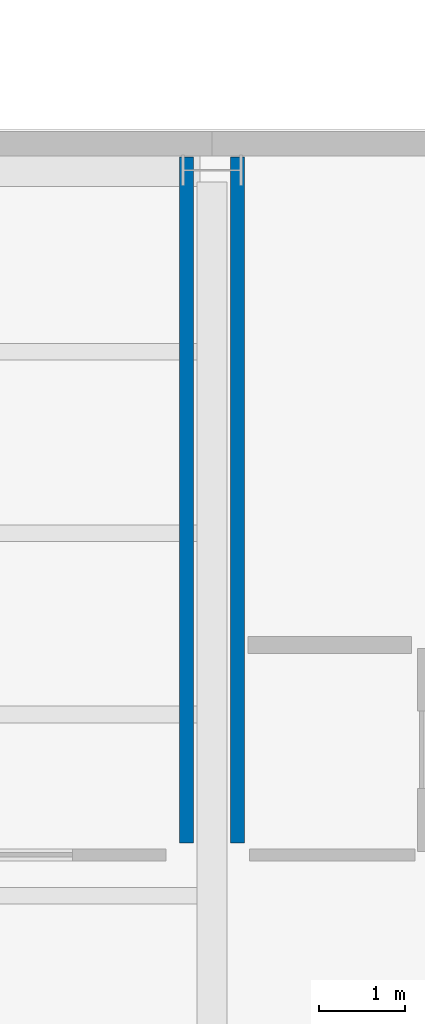
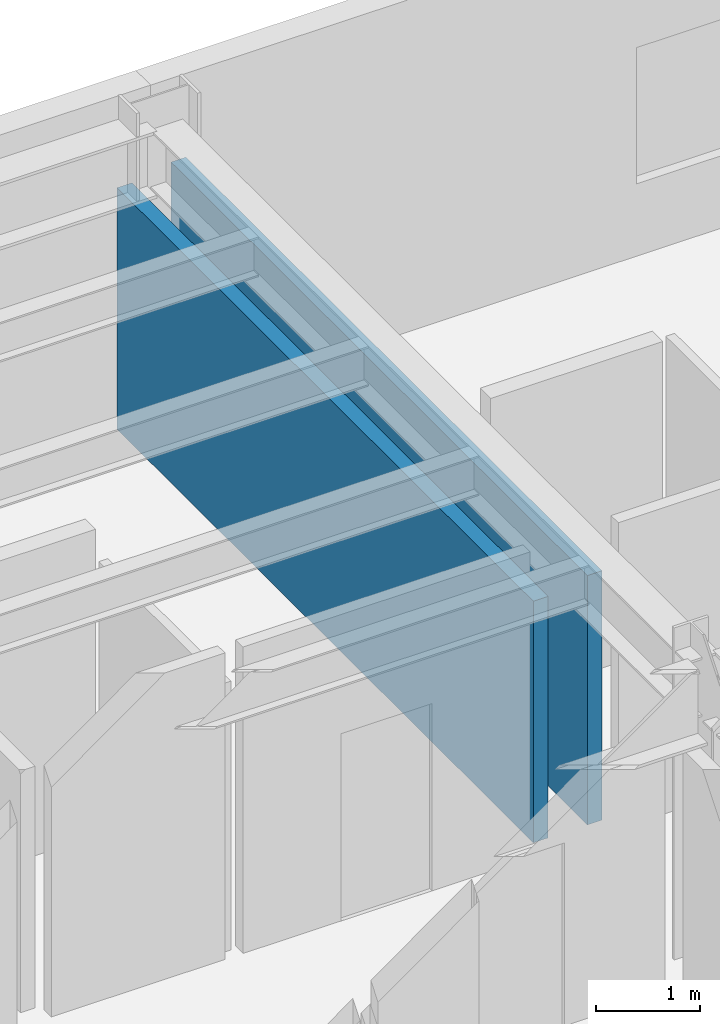
# One storey, part 43 of 59: 2 walls.
"""IFC4 building model written with IfcOpenShell, lengths in metres."""

import ifcopenshell
import ifcopenshell.guid

model = None  # the IFC model being written
_history = None  # IfcOwnerHistory: only IFC2X3 demands one
_inside = {}  # id of a spatial element -> (the spatial element, [elements in it])
_under = {}  # id of a project, library or spatial element -> (it, [spatial elements below it])
_declared = {}  # id of a project -> (the project, [libraries it declares])
_typed = {}  # id of a type object -> (the type object, [elements of that type])
_made_of = {}  # id of a material, layer set ... -> (it, [elements and type objects made of it])


def new_model(schema):
    """Start an empty IFC model of exactly this schema.

    Asked for "IFC4X3", IfcOpenShell would pick the latest addendum, in which some entities
    have other attributes; the version numbers below select the first issue.
    IFC2X3 requires an IfcOwnerHistory on every rooted entity: one is made here for all.
    """
    global model, _history
    if schema == "IFC4X3":
        model = ifcopenshell.file(schema_version=(4, 3, 0, 0))
    else:
        model = ifcopenshell.file(schema=schema)
    _inside.clear()
    _under.clear()
    _declared.clear()
    _typed.clear()
    _made_of.clear()
    _history = None
    if model.schema == "IFC2X3":
        org = make("IfcOrganization", Name="unknown")
        user = make(
            "IfcPersonAndOrganization",
            ThePerson=make("IfcPerson", FamilyName="unknown"),
            TheOrganization=org,
        )
        app = make(
            "IfcApplication",
            ApplicationDeveloper=org,
            Version="unknown",
            ApplicationFullName="unknown",
            ApplicationIdentifier="unknown",
        )
        _history = make(
            "IfcOwnerHistory",
            OwningUser=user,
            OwningApplication=app,
            ChangeAction="ADDED",
            CreationDate=0,
        )
    return model


def make(cls, **values):
    """One entity of the class cls with the attributes given. An attribute that is None is left unset."""
    return model.create_entity(
        cls, **{name: value for name, value in values.items() if value is not None}
    )


def rooted(cls, **values):
    """An entity with a GlobalId (a new one), such as an element, a storey or a relation."""
    return make(cls, GlobalId=ifcopenshell.guid.new(), OwnerHistory=_history, **values)


def si_unit(unit_type, name, prefix=None):
    """IfcSIUnit, for example si_unit("LENGTHUNIT", "METRE", prefix="MILLI")."""
    return make("IfcSIUnit", UnitType=unit_type, Prefix=prefix, Name=name)


def assignment(units):
    """IfcUnitAssignment: the units of a project."""
    return None if units is None else make("IfcUnitAssignment", Units=units)


def point(xyz):
    """IfcCartesianPoint."""
    return None if xyz is None else make("IfcCartesianPoint", Coordinates=xyz)


def direction(xyz):
    """IfcDirection."""
    return None if xyz is None else make("IfcDirection", DirectionRatios=xyz)


def frame(location, z_axis=None, x_axis=None):
    """IfcAxis2Placement3D, a coordinate frame: its origin and axes. An axis left out is left unset."""
    return make(
        "IfcAxis2Placement3D",
        Location=point(location),
        Axis=direction(z_axis),
        RefDirection=direction(x_axis),
    )


def frame_2d(location, x_axis=None):
    """IfcAxis2Placement2D, a coordinate frame in the plane: its origin and x axis."""
    return make(
        "IfcAxis2Placement2D", Location=point(location), RefDirection=direction(x_axis)
    )


def origin():
    """The frame at (0, 0, 0) with its axes left unset."""
    return frame((0.0, 0.0, 0.0))


def place(relative_to, where):
    """IfcLocalPlacement: puts the frame where relative to a parent placement (None: the world)."""
    return make(
        "IfcLocalPlacement", PlacementRelTo=relative_to, RelativePlacement=where
    )


def context(
    kind, dimensions, precision=None, world=None, true_north=None, identifier=None
):
    """IfcGeometricRepresentationContext, for example the 3D "Model" context."""
    return make(
        "IfcGeometricRepresentationContext",
        ContextIdentifier=identifier,
        ContextType=kind,
        CoordinateSpaceDimension=dimensions,
        Precision=precision,
        WorldCoordinateSystem=world,
        TrueNorth=true_north,
    )


def subcontext(parent, identifier, kind, view, scale=None):
    """IfcGeometricRepresentationSubContext, for example "Body" below "Model"."""
    return make(
        "IfcGeometricRepresentationSubContext",
        ContextIdentifier=identifier,
        ContextType=kind,
        ParentContext=parent,
        TargetScale=scale,
        TargetView=view,
    )


def project(units=None, contexts=None):
    """IfcProject with its units and contexts."""
    return rooted(
        "IfcProject",
        Name="project",
        RepresentationContexts=contexts,
        UnitsInContext=assignment(units),
    )


def spatial(cls, under=None, at=None, **own):
    """A site, building, storey or space (cls), placed at a placement, below another one or the project."""
    s = rooted(cls, ObjectPlacement=at, **own)
    if under is not None:
        _under.setdefault(under.id(), (under, []))[1].append(s)
    return s


def profile(cls, at=None, kind="AREA", **sizes):
    """A parametric profile (cls). Its sizes go by their IFC names, for example OverallWidth=200.0."""
    return make(cls, ProfileType=kind, Position=at, **sizes)


def rectangle(**sizes):
    """IfcRectangleProfileDef."""
    return profile("IfcRectangleProfileDef", **sizes)


def extrude(swept, where, along, depth):
    """IfcExtrudedAreaSolid: the profile swept, set in the frame where, extruded along a direction by depth."""
    return make(
        "IfcExtrudedAreaSolid",
        SweptArea=swept,
        Position=where,
        ExtrudedDirection=direction(along),
        Depth=depth,
    )


def shape(context_of_items, identifier, shape_type, items):
    """IfcShapeRepresentation: the items that make up one representation, for example the "Body"."""
    return make(
        "IfcShapeRepresentation",
        ContextOfItems=context_of_items,
        RepresentationIdentifier=identifier,
        RepresentationType=shape_type,
        Items=items,
    )


def material(Name=None, Category=None):
    """IfcMaterial."""
    return make("IfcMaterial", Name=Name, Category=Category)


def layer(
    of_material, thickness, ventilated=None, Name=None, Category=None, Priority=None
):
    """IfcMaterialLayer: one layer of a wall or slab, of a material (None: an air gap)."""
    return make(
        "IfcMaterialLayer",
        Material=of_material,
        LayerThickness=thickness,
        IsVentilated=ventilated,
        Name=Name,
        Category=Category,
        Priority=Priority,
    )


def layer_set(layers, Name=None):
    """IfcMaterialLayerSet."""
    return make("IfcMaterialLayerSet", MaterialLayers=layers, LayerSetName=Name)


def made_of(thing, what):
    """Note that an element or type object is made of a material, layer set ...; save() writes the relation."""
    if what is not None:
        _made_of.setdefault(what.id(), (what, []))[1].append(thing)
    return thing


def type_object(cls, material=None, **own):
    """A type object (cls), such as IfcWallType, which elements share."""
    return made_of(rooted(cls, **own), material)


def element(
    cls,
    number,
    at=None,
    inside=None,
    cuts=None,
    type_object=None,
    material=None,
    context=None,
    identifier="Body",
    shape_type=None,
    held_by="IfcProductDefinitionShape",
    body=None,
    shapes=None,
    **own,
):
    """One element of the class cls, such as IfcWall. Its Tag is "e" and its number.

    at: its placement. inside: the storey or other place that contains it. cuts: it is an
    opening in that element (IfcRelVoidsElement). A single representation is given by context,
    identifier, shape_type and body (its items); several are given by shapes. held_by: the class
    of the entity that holds the representations. save() writes the other relations.
    """
    e = rooted(cls, Tag="e%d" % number, ObjectPlacement=at, **own)
    if body is not None:
        shapes = [shape(context, identifier, shape_type, body)]
    if shapes is not None:
        e.Representation = make(held_by, Representations=shapes)
    if inside is not None:
        _inside.setdefault(inside.id(), (inside, []))[1].append(e)
    if cuts is not None:
        rooted(
            "IfcRelVoidsElement", RelatingBuildingElement=cuts, RelatedOpeningElement=e
        )
    if type_object is not None:
        _typed.setdefault(type_object.id(), (type_object, []))[1].append(e)
    return made_of(e, material)


def aggregate(whole, parts):
    """IfcRelAggregates: a whole, such as a stair, and the parts it consists of."""
    return rooted("IfcRelAggregates", RelatingObject=whole, RelatedObjects=parts)


def save(model, path):
    """Write the relations noted so far, then the file.

    IfcRelAggregates (storeys below a building ...), IfcRelContainedInSpatialStructure (elements
    in a storey), IfcRelDefinesByType, IfcRelAssociatesMaterial and IfcRelDeclares: one each for
    every whole, place, type object, material and project.
    """
    for whole, parts in _under.values():
        aggregate(whole, parts)
    for where, things in _inside.values():
        rooted(
            "IfcRelContainedInSpatialStructure",
            RelatedElements=things,
            RelatingStructure=where,
        )
    for kind, things in _typed.values():
        rooted("IfcRelDefinesByType", RelatedObjects=things, RelatingType=kind)
    for what, things in _made_of.values():
        rooted("IfcRelAssociatesMaterial", RelatedObjects=things, RelatingMaterial=what)
    for by, libraries in _declared.values():
        rooted("IfcRelDeclares", RelatingContext=by, RelatedDefinitions=libraries)
    model.write(path)


model = new_model("IFC4")

# Units and contexts
model_context = context("Model", 3, precision=1e-05, world=origin(), true_north=direction((0.0, 1.0)))
body_context = subcontext(model_context, "Body", "Model", "MODEL_VIEW")
ifc_project = project(units=[si_unit("LENGTHUNIT", "METRE"), si_unit("AREAUNIT", "SQUARE_METRE"), si_unit("VOLUMEUNIT", "CUBIC_METRE"), si_unit("PLANEANGLEUNIT", "RADIAN"), si_unit("MASSUNIT", "GRAM", prefix="KILO")], contexts=[model_context])

# Site, building, storey
site_placement = place(None, origin())
site = spatial("IfcSite", under=ifc_project, at=site_placement, CompositionType="ELEMENT")
building_placement = place(site_placement, origin())
building = spatial("IfcBuilding", under=site, at=building_placement, Name="Sollismere Congress Hotel", CompositionType="ELEMENT")
storey_placement = place(building_placement, frame((0.0, 0.0, 15.60009765625)))
storey = spatial("IfcBuildingStorey", under=building, at=storey_placement, Name="L03", CompositionType="ELEMENT", Elevation=15.60009765625)

# Walls
ifc_material = material(Name="Fire-Rated Acoustic Gypsum Partition")
ifc_layer = layer(ifc_material, 0.1650390625, Name="Fire-Rated Acoustic Gypsum Partition")
ifc_layer_set = layer_set([ifc_layer], Name="Fire-Rated Acoustic Gypsum Partition")
wall_type = type_object("IfcWallType", Name="WL-PRT165R", PredefinedType="PARTITIONING", material=ifc_layer_set)
wall_1_placement = place(storey_placement, frame((123.699951171875, 10.93994140625, 0.0), z_axis=(0.0, 0.0, 1.0), x_axis=(0.0, 1.0, 0.0)))
element("IfcWall", 1, at=wall_1_placement, inside=storey, type_object=wall_type, Name="Interior wall IW-L03-1344", PredefinedType="PARTITIONING", context=body_context, shape_type="SweptSolid", body=[
    extrude(rectangle(XDim=8.012451171875, YDim=0.1650390625, at=frame_2d((4.00634765625, 0.0))), origin(), (0.0, 0.0, 1.0), 2.837890625),
])
wall_2_placement = place(storey_placement, frame((124.300048828125, 10.93994140625, 0.0), z_axis=(0.0, 0.0, 1.0), x_axis=(0.0, 1.0, 0.0)))
element("IfcWall", 2, at=wall_2_placement, inside=storey, type_object=wall_type, Name="Interior wall IW-L03-1355", PredefinedType="PARTITIONING", context=body_context, shape_type="SweptSolid", body=[
    extrude(rectangle(XDim=8.012451171875, YDim=0.1650390625, at=frame_2d((4.00634765625, 0.0))), origin(), (0.0, 0.0, 1.0), 2.928955078125),
])

save(model, "model.ifc")
